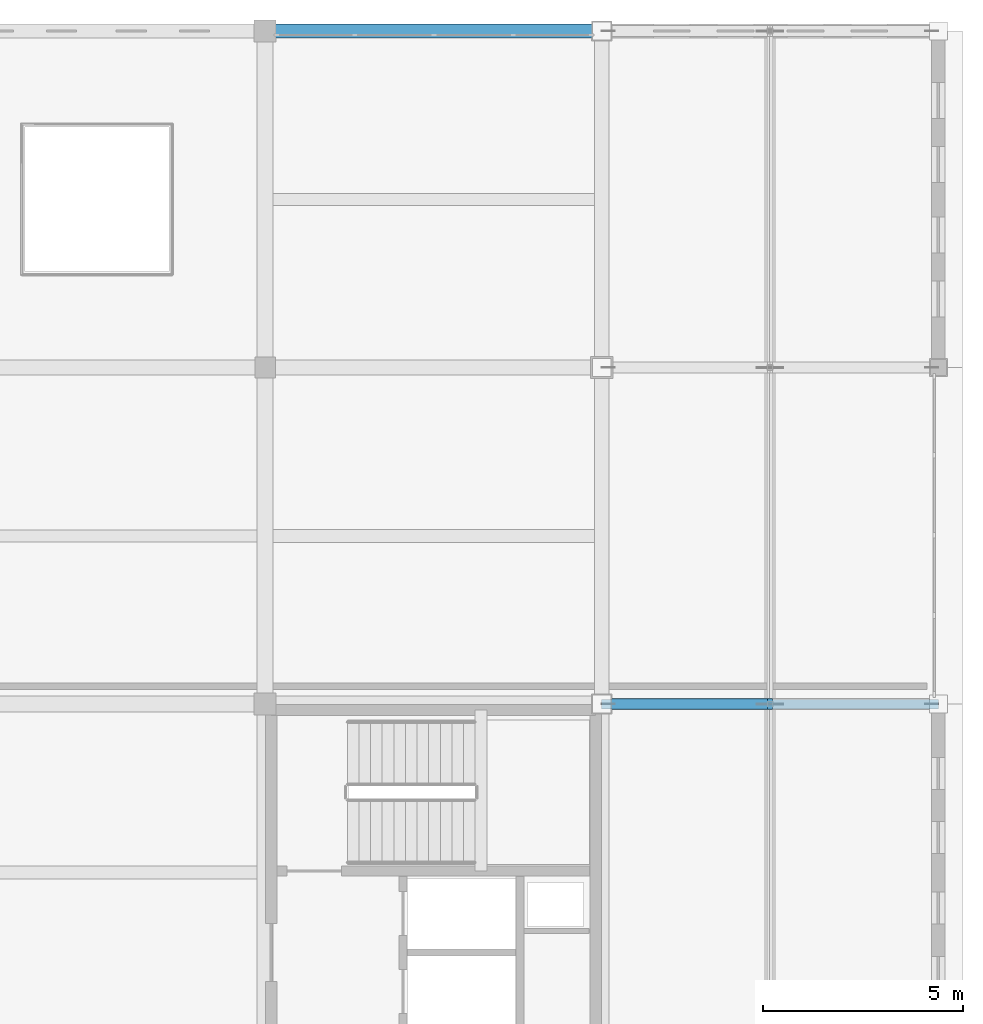
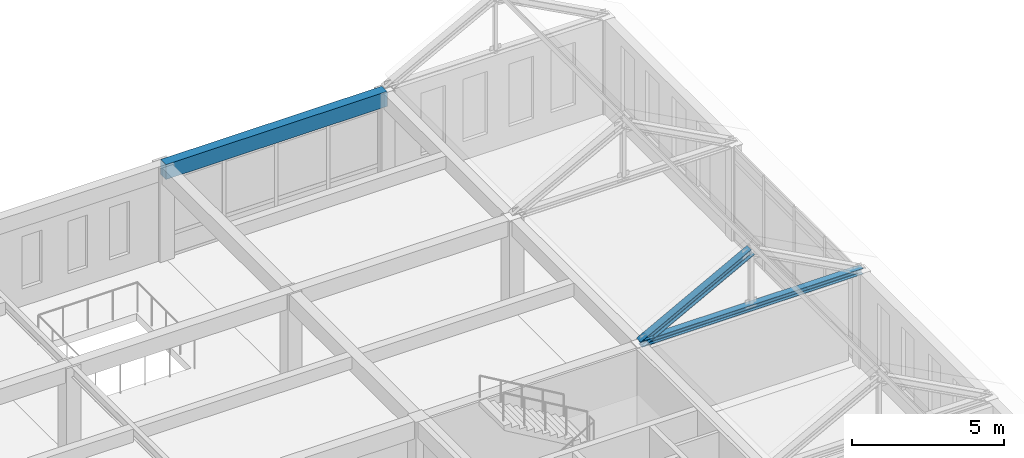
# One storey, part 17 of 36: 2 members, 1 beam.
"""IFC4 building model written with IfcOpenShell, lengths in metres."""

from ifc_helpers import new_model, si_unit, direction, frame, origin, origin_2d, place, context, subcontext, project, spatial, rectangle, i_section, extrude, material, material_profile, profile_set, type_object, element, save


model = new_model("IFC4")

# Units and contexts
model_context = context("Model", 3, precision=1e-05, world=origin(), true_north=direction((0.0, 1.0)))
body_context = subcontext(model_context, "Body", "Model", "MODEL_VIEW")
ifc_project = project(units=[si_unit("LENGTHUNIT", "METRE"), si_unit("AREAUNIT", "SQUARE_METRE"), si_unit("VOLUMEUNIT", "CUBIC_METRE"), si_unit("PLANEANGLEUNIT", "RADIAN"), si_unit("MASSUNIT", "GRAM", prefix="KILO")], contexts=[model_context])

# Site, building, storey
site_placement = place(None, origin())
site = spatial("IfcSite", under=ifc_project, at=site_placement, CompositionType="ELEMENT")
building_placement = place(site_placement, origin())
building = spatial("IfcBuilding", under=site, at=building_placement, Name="Kveldsbrygga Polytechnic", CompositionType="ELEMENT")
storey_placement = place(building_placement, frame((0.0, 0.0, 22.10009765625)))
storey = spatial("IfcBuildingStorey", under=building, at=storey_placement, Name="L05", CompositionType="ELEMENT", Elevation=22.10009765625)

# Beam
ifc_material_1 = material(Name="Concrete C35/45", Category="concrete")
ifc_material_profile_1 = material_profile(ifc_material_1, rectangle(XDim=0.35009765625, YDim=0.60009765625, at=origin_2d()), Name="RC 350x600")
ifc_profile_set_1 = profile_set([ifc_material_profile_1], Name="Concrete C35/45")
beam_type = type_object("IfcBeamType", Name="BM-SPANDREL-600", PredefinedType="T_BEAM", material=ifc_profile_set_1)
beam_placement = place(storey_placement, frame((151.199951171875, 100.800048828125, 3.47998046875), z_axis=(1.0, 0.0, 0.0), x_axis=(0.0, 1.0, 0.0)))
element("IfcBeam", 1, at=beam_placement, inside=storey, type_object=beam_type, Name="Primary Beam BMX-L05-18to19-12", PredefinedType="T_BEAM", context=body_context, shape_type="SweptSolid", body=[
    extrude(rectangle(XDim=0.35009765625, YDim=0.60009765625, at=origin_2d()), origin(), (0.0, 0.0, 1.0), 8.400146484375),
])

# Members
ifc_material_2 = material(Name="Steel S355", Category="steel")
ifc_material_profile_2 = material_profile(ifc_material_2, i_section(OverallWidth=0.239990234375, OverallDepth=0.239990234375, WebThickness=0.010009765625, FlangeThickness=0.01708984375, FilletRadius=0.02099609375, at=origin_2d()), Name="HEB 240")
ifc_profile_set_2 = profile_set([ifc_material_profile_2], Name="Steel S355")
member_type_1 = type_object("IfcMemberType", Name="TR-BOT-HEB240", PredefinedType="CHORD", material=ifc_profile_set_2)
member_1_placement = place(storey_placement, frame((159.60009765625, 84.0, 3.77978515625), z_axis=(1.0, 0.0, 0.0), x_axis=(0.0, 1.0, 0.0)))
element("IfcMember", 2, at=member_1_placement, inside=storey, type_object=member_type_1, Name="Truss Bottom Chord V4E6-T09-BC-1", PredefinedType="CHORD", context=body_context, shape_type="SweptSolid", body=[
    extrude(i_section(OverallWidth=0.239990234375, OverallDepth=0.239990234375, WebThickness=0.010009765625, FlangeThickness=0.01708984375, FilletRadius=0.02099609375, at=origin_2d()), origin(), (0.0, 0.0, 1.0), 8.39990234375),
])
ifc_material_profile_3 = material_profile(ifc_material_2, i_section(OverallWidth=0.280029296875, OverallDepth=0.280029296875, WebThickness=0.010498046875, FlangeThickness=0.01806640625, FilletRadius=0.02392578125, at=origin_2d()), Name="HEB 280")
ifc_profile_set_3 = profile_set([ifc_material_profile_3], Name="Steel S355")
member_type_2 = type_object("IfcMemberType", Name="TR-TOP-HEB280", PredefinedType="CHORD", material=ifc_profile_set_3)
member_2_placement = place(storey_placement, frame((159.60009765625, 84.0, 3.77978515625), z_axis=(0.881477684796, 0.0, 0.472225678258), x_axis=(0.0, 1.0, 0.0)))
element("IfcMember", 3, at=member_2_placement, inside=storey, type_object=member_type_2, Name="Truss Top Chord V4E6-T09-TC-1", PredefinedType="CHORD", context=body_context, shape_type="SweptSolid", body=[
    extrude(i_section(OverallWidth=0.280029296875, OverallDepth=0.280029296875, WebThickness=0.010498046875, FlangeThickness=0.01806640625, FilletRadius=0.02392578125, at=origin_2d()), origin(), (0.0, 0.0, 1.0), 4.7646484375),
])

save(model, "model.ifc")
